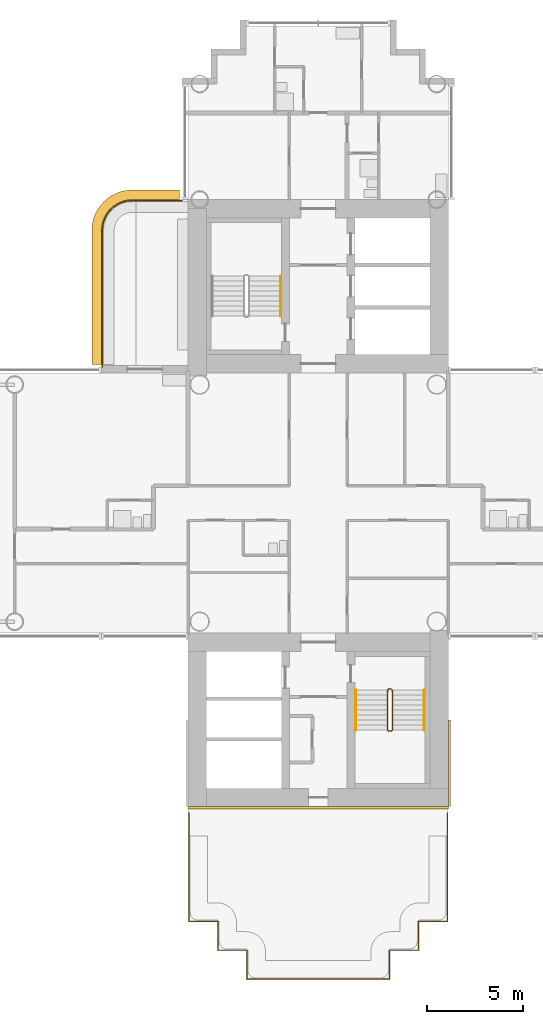
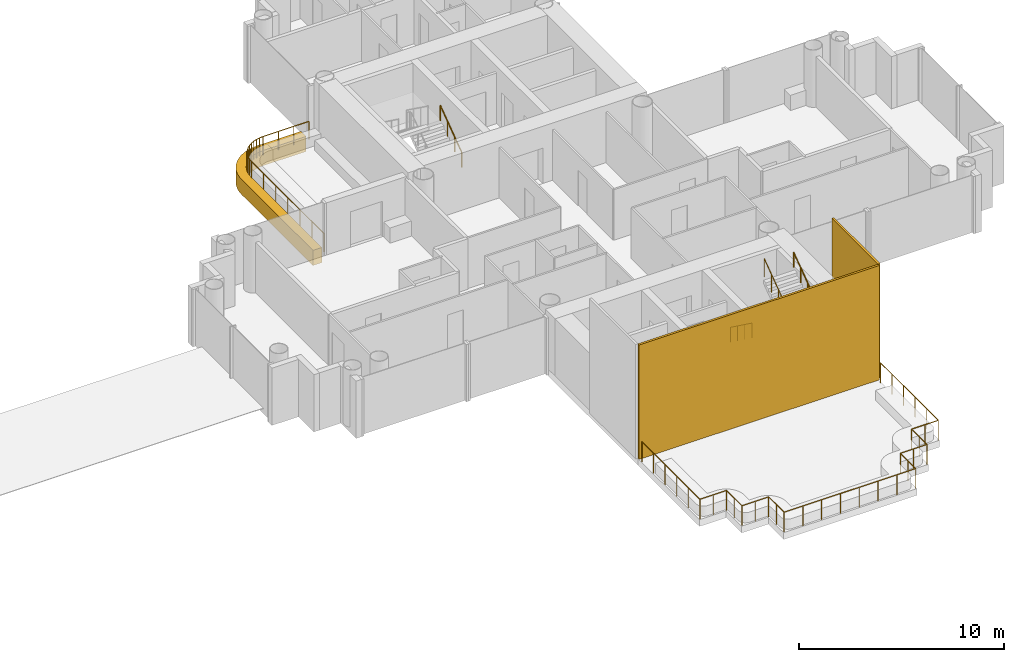
# One storey, part 21 of 22: 6 railings, 3 coverings.
"""IFC4 building model written with IfcOpenShell, lengths in metres."""

from ifc_helpers import new_model, si_unit, direction, frame, origin, origin_2d, place, context, subcontext, project, spatial, polyline, rectangle, circle, outline, extrude, material, layer, layer_set, type_object, element, save


model = new_model("IFC4")

# Units and contexts
model_context = context("Model", 3, precision=1e-05, world=origin(), true_north=direction((0.0, 1.0)))
body_context = subcontext(model_context, "Body", "Model", "MODEL_VIEW")
ifc_project = project(units=[si_unit("LENGTHUNIT", "METRE"), si_unit("AREAUNIT", "SQUARE_METRE"), si_unit("VOLUMEUNIT", "CUBIC_METRE"), si_unit("PLANEANGLEUNIT", "RADIAN"), si_unit("MASSUNIT", "GRAM", prefix="KILO")], contexts=[model_context])

# Site, building, storey
site_placement = place(None, origin())
site = spatial("IfcSite", under=ifc_project, at=site_placement, CompositionType="ELEMENT")
building_placement = place(site_placement, origin())
building = spatial("IfcBuilding", under=site, at=building_placement, Name="Ipe Terrace Towers", CompositionType="ELEMENT")
storey_placement = place(building_placement, frame((0.0, 0.0, 76.60009765625)))
storey = spatial("IfcBuildingStorey", under=building, at=storey_placement, Name="L20", CompositionType="ELEMENT", Elevation=76.60009765625)

# Railings
ifc_material_1 = material(Name="Stainless steel S316", Category="steel")
railing_type_1 = type_object("IfcRailingType", Name="GUARD 1100", PredefinedType="BALUSTRADE", material=ifc_material_1)
railing_1_placement = place(storey_placement, frame((28.929931640625, 15.699951171875, -0.02001953125)))
element("IfcRailing", 1, at=railing_1_placement, inside=storey, type_object=railing_type_1, Name="guard", PredefinedType="BALUSTRADE", context=body_context, shape_type="SweptSolid", body=[
    extrude(circle(Radius=0.02392578125, at=origin_2d()), frame((0.0, 0.0, 1.076171875), z_axis=(-1.0, 0.0, 0.0), x_axis=(0.0, -1.0, 0.0)), (0.0, 0.0, 1.0), 2.577880859375),
    extrude(circle(Radius=0.02392578125, at=origin_2d()), frame((-2.577880859375, 0.0, 1.076171875), z_axis=(-0.997996439513, -0.063270109204, 0.0), x_axis=(0.063270109204, -0.997996439513, 0.0)), (0.0, 0.0, 1.0), 0.20458984375),
    extrude(circle(Radius=0.02392578125, at=origin_2d()), frame((-2.781982421875, -0.012939453125, 1.076171875), z_axis=(-0.980348670139, -0.197272615832, 0.0), x_axis=(0.197272615832, -0.980348670139, 0.0)), (0.0, 0.0, 1.0), 0.202880859375),
    extrude(circle(Radius=0.02392578125, at=origin_2d()), frame((-2.98095703125, -0.052978515625, 1.076171875), z_axis=(-0.947227229435, -0.320562904618, 0.0), x_axis=(0.320562904618, -0.947227229435, 0.0)), (0.0, 0.0, 1.0), 0.20263671875),
    extrude(circle(Radius=0.02392578125, at=origin_2d()), frame((-3.1728515625, -0.117919921875, 1.076171875), z_axis=(-0.896341374877, -0.443364567466, 0.0), x_axis=(0.443364567466, -0.896341374877, 0.0)), (0.0, 0.0, 1.0), 0.203125),
    extrude(circle(Radius=0.02392578125, at=origin_2d()), frame((-3.35498046875, -0.2080078125, 1.076171875), z_axis=(-0.833344910936, -0.552753344103, 0.0), x_axis=(0.552753344103, -0.833344910936, 0.0)), (0.0, 0.0, 1.0), 0.20263671875),
    extrude(circle(Radius=0.02392578125, at=origin_2d()), frame((-3.52392578125, -0.320068359375, 1.076171875), z_axis=(-0.750856952854, -0.660464863827, 0.0), x_axis=(0.660464863827, -0.750856952854, 0.0)), (0.0, 0.0, 1.0), 0.20263671875),
    extrude(circle(Radius=0.02392578125, at=origin_2d()), frame((-3.676025390625, -0.453857421875, 1.076171875), z_axis=(-0.660464863827, -0.750856952854, 0.0), x_axis=(0.750856952854, -0.660464863827, 0.0)), (0.0, 0.0, 1.0), 0.20263671875),
    extrude(circle(Radius=0.02392578125, at=origin_2d()), frame((-3.809814453125, -0.60595703125, 1.076171875), z_axis=(-0.552753344103, -0.833344910936, 0.0), x_axis=(0.833344910936, -0.552753344103, 0.0)), (0.0, 0.0, 1.0), 0.20263671875),
    extrude(circle(Radius=0.02392578125, at=origin_2d()), frame((-3.921875, -0.77490234375, 1.076171875), z_axis=(-0.443364567466, -0.896341374877, 0.0), x_axis=(0.896341374877, -0.443364567466, 0.0)), (0.0, 0.0, 1.0), 0.203125),
    extrude(circle(Radius=0.02392578125, at=origin_2d()), frame((-4.011962890625, -0.95703125, 1.076171875), z_axis=(-0.320562904618, -0.947227229435, 0.0), x_axis=(0.947227229435, -0.320562904618, 0.0)), (0.0, 0.0, 1.0), 0.20263671875),
    extrude(circle(Radius=0.02392578125, at=origin_2d()), frame((-4.076904296875, -1.14892578125, 1.076171875), z_axis=(-0.197272615832, -0.980348670139, 0.0), x_axis=(0.980348670139, -0.197272615832, 0.0)), (0.0, 0.0, 1.0), 0.202880859375),
    extrude(circle(Radius=0.02392578125, at=origin_2d()), frame((-4.116943359375, -1.347900390625, 1.076171875), z_axis=(-0.063270109204, -0.997996439513, 0.0), x_axis=(0.997996439513, -0.063270109204, 0.0)), (0.0, 0.0, 1.0), 0.20458984375),
    extrude(circle(Radius=0.02392578125, at=origin_2d()), frame((-4.1298828125, -1.552001953125, 1.076171875), z_axis=(0.0, -1.0, 0.0), x_axis=(1.0, 0.0, 0.0)), (0.0, 0.0, 1.0), 7.077880859375),
    extrude(circle(Radius=0.02099609375, at=origin_2d()), origin(), (0.0, 0.0, 1.0), 1.052001953125),
    extrude(circle(Radius=0.02099609375, at=origin_2d()), frame((-0.859375, 0.0, 0.0)), (0.0, 0.0, 1.0), 1.052001953125),
    extrude(circle(Radius=0.02099609375, at=origin_2d()), frame((-1.718505859375, 0.0, 0.0)), (0.0, 0.0, 1.0), 1.052001953125),
    extrude(circle(Radius=0.02099609375, at=origin_2d()), frame((-2.577880859375, 0.0, 0.0)), (0.0, 0.0, 1.0), 1.052001953125),
    extrude(circle(Radius=0.02099609375, at=origin_2d()), frame((-2.781982421875, -0.012939453125, 0.0)), (0.0, 0.0, 1.0), 1.052001953125),
    extrude(circle(Radius=0.02099609375, at=origin_2d()), frame((-2.98095703125, -0.052978515625, 0.0)), (0.0, 0.0, 1.0), 1.052001953125),
    extrude(circle(Radius=0.02099609375, at=origin_2d()), frame((-3.1728515625, -0.117919921875, 0.0)), (0.0, 0.0, 1.0), 1.052001953125),
    extrude(circle(Radius=0.02099609375, at=origin_2d()), frame((-3.35498046875, -0.2080078125, 0.0)), (0.0, 0.0, 1.0), 1.052001953125),
    extrude(circle(Radius=0.02099609375, at=origin_2d()), frame((-3.52392578125, -0.320068359375, 0.0)), (0.0, 0.0, 1.0), 1.052001953125),
    extrude(circle(Radius=0.02099609375, at=origin_2d()), frame((-3.676025390625, -0.453857421875, 0.0)), (0.0, 0.0, 1.0), 1.052001953125),
    extrude(circle(Radius=0.02099609375, at=origin_2d()), frame((-3.809814453125, -0.60595703125, 0.0)), (0.0, 0.0, 1.0), 1.052001953125),
    extrude(circle(Radius=0.02099609375, at=origin_2d()), frame((-3.921875, -0.77490234375, 0.0)), (0.0, 0.0, 1.0), 1.052001953125),
    extrude(circle(Radius=0.02099609375, at=origin_2d()), frame((-4.011962890625, -0.95703125, 0.0)), (0.0, 0.0, 1.0), 1.052001953125),
    extrude(circle(Radius=0.02099609375, at=origin_2d()), frame((-4.076904296875, -1.14892578125, 0.0)), (0.0, 0.0, 1.0), 1.052001953125),
    extrude(circle(Radius=0.02099609375, at=origin_2d()), frame((-4.116943359375, -1.347900390625, 0.0)), (0.0, 0.0, 1.0), 1.052001953125),
    extrude(circle(Radius=0.02099609375, at=origin_2d()), frame((-4.1298828125, -1.552001953125, 0.0)), (0.0, 0.0, 1.0), 1.052001953125),
    extrude(circle(Radius=0.02099609375, at=origin_2d()), frame((-4.1298828125, -2.731689453125, 0.0)), (0.0, 0.0, 1.0), 1.052001953125),
    extrude(circle(Radius=0.02099609375, at=origin_2d()), frame((-4.1298828125, -3.911376953125, 0.0)), (0.0, 0.0, 1.0), 1.052001953125),
    extrude(circle(Radius=0.02099609375, at=origin_2d()), frame((-4.1298828125, -5.0908203125, 0.0)), (0.0, 0.0, 1.0), 1.052001953125),
    extrude(circle(Radius=0.02099609375, at=origin_2d()), frame((-4.1298828125, -6.2705078125, 0.0)), (0.0, 0.0, 1.0), 1.052001953125),
    extrude(circle(Radius=0.02099609375, at=origin_2d()), frame((-4.1298828125, -7.4501953125, 0.0)), (0.0, 0.0, 1.0), 1.052001953125),
    extrude(circle(Radius=0.02099609375, at=origin_2d()), frame((-4.1298828125, -8.6298828125, 0.0)), (0.0, 0.0, 1.0), 1.052001953125),
])
ifc_material_2 = material(Name="Stainless steel S316", Category="steel")
railing_type_2 = type_object("IfcRailingType", Name="ROOF GUARD 1200", PredefinedType="BALUSTRADE", material=ifc_material_2)
railing_2_placement = place(storey_placement, frame((29.300048828125, -16.070068359375, -0.02001953125)))
element("IfcRailing", 2, at=railing_2_placement, inside=storey, type_object=railing_type_2, Name="roof guard", PredefinedType="BALUSTRADE", context=body_context, shape_type="SweptSolid", body=[
    extrude(circle(Radius=0.02392578125, at=origin_2d()), frame((0.0, 0.0, 1.17578125), z_axis=(0.0, -1.0, 0.0), x_axis=(1.0, 0.0, 0.0)), (0.0, 0.0, 1.0), 5.6298828125),
    extrude(circle(Radius=0.02392578125, at=origin_2d()), frame((0.0, -5.6298828125, 1.17578125), z_axis=(1.0, 0.0, 0.0), x_axis=(0.0, 1.0, 0.0)), (0.0, 0.0, 1.0), 1.5),
    extrude(circle(Radius=0.02392578125, at=origin_2d()), frame((1.5, -5.6298828125, 1.17578125), z_axis=(0.0, -1.0, 0.0), x_axis=(1.0, 0.0, 0.0)), (0.0, 0.0, 1.0), 1.5),
    extrude(circle(Radius=0.02392578125, at=origin_2d()), frame((1.5, -7.1298828125, 1.17578125), z_axis=(1.0, 0.0, 0.0), x_axis=(0.0, 1.0, 0.0)), (0.0, 0.0, 1.0), 1.5),
    extrude(circle(Radius=0.02392578125, at=origin_2d()), frame((3.0, -7.1298828125, 1.17578125), z_axis=(0.0, -1.0, 0.0), x_axis=(1.0, 0.0, 0.0)), (0.0, 0.0, 1.0), 1.5),
    extrude(circle(Radius=0.02392578125, at=origin_2d()), frame((3.0, -8.6298828125, 1.17578125), z_axis=(1.0, 0.0, 0.0), x_axis=(0.0, 1.0, 0.0)), (0.0, 0.0, 1.0), 7.39990234375),
    extrude(circle(Radius=0.02392578125, at=origin_2d()), frame((10.39990234375, -8.6298828125, 1.17578125), z_axis=(0.0, 1.0, 0.0), x_axis=(-1.0, 0.0, 0.0)), (0.0, 0.0, 1.0), 1.5),
    extrude(circle(Radius=0.02392578125, at=origin_2d()), frame((10.39990234375, -7.1298828125, 1.17578125), z_axis=(1.0, 0.0, 0.0), x_axis=(0.0, 1.0, 0.0)), (0.0, 0.0, 1.0), 1.5),
    extrude(circle(Radius=0.02392578125, at=origin_2d()), frame((11.89990234375, -7.1298828125, 1.17578125), z_axis=(0.0, 1.0, 0.0), x_axis=(-1.0, 0.0, 0.0)), (0.0, 0.0, 1.0), 1.5),
    extrude(circle(Radius=0.02392578125, at=origin_2d()), frame((11.89990234375, -5.6298828125, 1.17578125), z_axis=(1.0, 0.0, 0.0), x_axis=(0.0, 1.0, 0.0)), (0.0, 0.0, 1.0), 1.5),
    extrude(circle(Radius=0.02392578125, at=origin_2d()), frame((13.39990234375, -5.6298828125, 1.17578125), z_axis=(0.0, 1.0, 0.0), x_axis=(-1.0, 0.0, 0.0)), (0.0, 0.0, 1.0), 5.6298828125),
    extrude(circle(Radius=0.02099609375, at=origin_2d()), origin(), (0.0, 0.0, 1.0), 1.15185546875),
    extrude(circle(Radius=0.02099609375, at=origin_2d()), frame((0.0, -1.1259765625, 0.0)), (0.0, 0.0, 1.0), 1.15185546875),
    extrude(circle(Radius=0.02099609375, at=origin_2d()), frame((0.0, -2.251953125, 0.0)), (0.0, 0.0, 1.0), 1.15185546875),
    extrude(circle(Radius=0.02099609375, at=origin_2d()), frame((0.0, -3.3779296875, 0.0)), (0.0, 0.0, 1.0), 1.15185546875),
    extrude(circle(Radius=0.02099609375, at=origin_2d()), frame((0.0, -4.50390625, 0.0)), (0.0, 0.0, 1.0), 1.15185546875),
    extrude(circle(Radius=0.02099609375, at=origin_2d()), frame((0.0, -5.6298828125, 0.0)), (0.0, 0.0, 1.0), 1.15185546875),
    extrude(circle(Radius=0.02099609375, at=origin_2d()), frame((0.75, -5.6298828125, 0.0)), (0.0, 0.0, 1.0), 1.15185546875),
    extrude(circle(Radius=0.02099609375, at=origin_2d()), frame((1.5, -5.6298828125, 0.0)), (0.0, 0.0, 1.0), 1.15185546875),
    extrude(circle(Radius=0.02099609375, at=origin_2d()), frame((1.5, -6.3798828125, 0.0)), (0.0, 0.0, 1.0), 1.15185546875),
    extrude(circle(Radius=0.02099609375, at=origin_2d()), frame((1.5, -7.1298828125, 0.0)), (0.0, 0.0, 1.0), 1.15185546875),
    extrude(circle(Radius=0.02099609375, at=origin_2d()), frame((2.25, -7.1298828125, 0.0)), (0.0, 0.0, 1.0), 1.15185546875),
    extrude(circle(Radius=0.02099609375, at=origin_2d()), frame((3.0, -7.1298828125, 0.0)), (0.0, 0.0, 1.0), 1.15185546875),
    extrude(circle(Radius=0.02099609375, at=origin_2d()), frame((3.0, -7.8798828125, 0.0)), (0.0, 0.0, 1.0), 1.15185546875),
    extrude(circle(Radius=0.02099609375, at=origin_2d()), frame((3.0, -8.6298828125, 0.0)), (0.0, 0.0, 1.0), 1.15185546875),
    extrude(circle(Radius=0.02099609375, at=origin_2d()), frame((4.05712890625, -8.6298828125, 0.0)), (0.0, 0.0, 1.0), 1.15185546875),
    extrude(circle(Radius=0.02099609375, at=origin_2d()), frame((5.1142578125, -8.6298828125, 0.0)), (0.0, 0.0, 1.0), 1.15185546875),
    extrude(circle(Radius=0.02099609375, at=origin_2d()), frame((6.17138671875, -8.6298828125, 0.0)), (0.0, 0.0, 1.0), 1.15185546875),
    extrude(circle(Radius=0.02099609375, at=origin_2d()), frame((7.228515625, -8.6298828125, 0.0)), (0.0, 0.0, 1.0), 1.15185546875),
    extrude(circle(Radius=0.02099609375, at=origin_2d()), frame((8.28564453125, -8.6298828125, 0.0)), (0.0, 0.0, 1.0), 1.15185546875),
    extrude(circle(Radius=0.02099609375, at=origin_2d()), frame((9.3427734375, -8.6298828125, 0.0)), (0.0, 0.0, 1.0), 1.15185546875),
    extrude(circle(Radius=0.02099609375, at=origin_2d()), frame((10.39990234375, -8.6298828125, 0.0)), (0.0, 0.0, 1.0), 1.15185546875),
    extrude(circle(Radius=0.02099609375, at=origin_2d()), frame((10.39990234375, -7.8798828125, 0.0)), (0.0, 0.0, 1.0), 1.15185546875),
    extrude(circle(Radius=0.02099609375, at=origin_2d()), frame((10.39990234375, -7.1298828125, 0.0)), (0.0, 0.0, 1.0), 1.15185546875),
    extrude(circle(Radius=0.02099609375, at=origin_2d()), frame((11.14990234375, -7.1298828125, 0.0)), (0.0, 0.0, 1.0), 1.15185546875),
    extrude(circle(Radius=0.02099609375, at=origin_2d()), frame((11.89990234375, -7.1298828125, 0.0)), (0.0, 0.0, 1.0), 1.15185546875),
    extrude(circle(Radius=0.02099609375, at=origin_2d()), frame((11.89990234375, -6.3798828125, 0.0)), (0.0, 0.0, 1.0), 1.15185546875),
    extrude(circle(Radius=0.02099609375, at=origin_2d()), frame((11.89990234375, -5.6298828125, 0.0)), (0.0, 0.0, 1.0), 1.15185546875),
    extrude(circle(Radius=0.02099609375, at=origin_2d()), frame((12.64990234375, -5.6298828125, 0.0)), (0.0, 0.0, 1.0), 1.15185546875),
    extrude(circle(Radius=0.02099609375, at=origin_2d()), frame((13.39990234375, -5.6298828125, 0.0)), (0.0, 0.0, 1.0), 1.15185546875),
    extrude(circle(Radius=0.02099609375, at=origin_2d()), frame((13.39990234375, -4.50390625, 0.0)), (0.0, 0.0, 1.0), 1.15185546875),
    extrude(circle(Radius=0.02099609375, at=origin_2d()), frame((13.39990234375, -3.3779296875, 0.0)), (0.0, 0.0, 1.0), 1.15185546875),
    extrude(circle(Radius=0.02099609375, at=origin_2d()), frame((13.39990234375, -2.251953125, 0.0)), (0.0, 0.0, 1.0), 1.15185546875),
    extrude(circle(Radius=0.02099609375, at=origin_2d()), frame((13.39990234375, -1.1259765625, 0.0)), (0.0, 0.0, 1.0), 1.15185546875),
    extrude(circle(Radius=0.02099609375, at=origin_2d()), frame((13.39990234375, 0.0, 0.0)), (0.0, 0.0, 1.0), 1.15185546875),
])

# Coverings
ifc_material_3 = material(Name="Concrete C50/60 precast, buff finish", Category="concrete")
ifc_layer_1 = layer(ifc_material_3, 0.1201171875)
ifc_layer_set_1 = layer_set([ifc_layer_1], Name="STONE CORE CLADDING 120")
covering_type_1 = type_object("IfcCoveringType", Name="STONE CORE CLADDING 120", PredefinedType="CLADDING", material=ifc_layer_set_1)
covering_1_placement = place(storey_placement, frame((36.0, -15.81005859375, 0.0), z_axis=(0.0, 0.0, 1.0), x_axis=(1.0, 0.0, 0.0)))
element("IfcCovering", 3, at=covering_1_placement, inside=storey, type_object=covering_type_1, Name="stone core cladding", PredefinedType="CLADDING", context=body_context, shape_type="SweptSolid", body=[
    extrude(rectangle(XDim=13.5, YDim=0.1201171875, at=origin_2d()), origin(), (0.0, 0.0, 1.0), 6.800048828125),
])
covering_2_placement = place(storey_placement, frame((42.81005859375, -13.5, 0.0), z_axis=(0.0, 0.0, 1.0), x_axis=(0.0, 1.0, 0.0)))
element("IfcCovering", 4, at=covering_2_placement, inside=storey, type_object=covering_type_1, Name="stone core cladding", PredefinedType="CLADDING", context=body_context, shape_type="SweptSolid", body=[
    extrude(rectangle(XDim=4.5, YDim=0.1201171875, at=origin_2d()), origin(), (0.0, 0.0, 1.0), 6.800048828125),
])
ifc_material_4 = material(Name="Concrete C50/60 precast, buff finish", Category="concrete")
ifc_layer_2 = layer(ifc_material_4, 0.5)
ifc_layer_set_2 = layer_set([ifc_layer_2], Name="STONE EDGE BAND 500 x 900")
covering_type_2 = type_object("IfcCoveringType", Name="STONE EDGE BAND 500 x 900", PredefinedType="CLADDING", material=ifc_layer_set_2)
covering_3_placement = place(storey_placement, frame((0.0, 0.0, -0.72021484375)))
element("IfcCovering", 5, at=covering_3_placement, inside=storey, type_object=covering_type_2, Name="stone edge band", PredefinedType="CLADDING", context=body_context, shape_type="SweptSolid", body=[
    extrude(outline(polyline([(24.25, 14.14990234375), (24.25, 7.199951171875), (24.75, 7.199951171875), (24.75, 14.14990234375), (24.763916015625, 14.35888671875), (24.804931640625, 14.56396484375), (24.8720703125, 14.761962890625), (24.964111328125, 14.949951171875), (25.0810546875, 15.1240234375), (25.218994140625, 15.281005859375), (25.3759765625, 15.4189453125), (25.550048828125, 15.535888671875), (25.738037109375, 15.6279296875), (25.93603515625, 15.695068359375), (26.14111328125, 15.736083984375), (26.35009765625, 15.75), (28.800048828125, 15.75), (28.800048828125, 16.25), (26.35009765625, 16.25), (26.31689453125, 16.2490234375), (26.10791015625, 16.235107421875), (26.0439453125, 16.22705078125), (25.837890625, 16.18603515625), (25.77490234375, 16.1689453125), (25.576904296875, 16.10205078125), (25.51708984375, 16.076904296875), (25.3291015625, 15.98388671875), (25.27197265625, 15.950927734375), (25.097900390625, 15.8349609375), (25.0458984375, 15.794921875), (24.888916015625, 15.656982421875), (24.843017578125, 15.611083984375), (24.705078125, 15.4541015625), (24.6650390625, 15.402099609375), (24.549072265625, 15.22802734375), (24.51611328125, 15.1708984375), (24.423095703125, 14.98291015625), (24.39794921875, 14.923095703125), (24.3310546875, 14.72509765625), (24.31396484375, 14.662109375), (24.27294921875, 14.4560546875), (24.264892578125, 14.39208984375), (24.2509765625, 14.18310546875), (24.25, 14.14990234375)])), origin(), (0.0, 0.0, 1.0), 0.900146484375),
])

# Railings
ifc_material_5 = material(Name="Steel S355", Category="steel")
railing_type_3 = type_object("IfcRailingType", Name="Stair guard 1100", PredefinedType="GUARDRAIL", material=ifc_material_5)
railing_3_placement = place(storey_placement, frame((39.800048828125, -9.64990234375, 0.0)))
element("IfcRailing", 6, at=railing_3_placement, inside=storey, type_object=railing_type_3, Name="L20 T2-ST2 stair guard 1", PredefinedType="GUARDRAIL", context=body_context, shape_type="SweptSolid", body=[
    extrude(circle(Radius=0.02392578125, at=origin_2d()), frame((0.0, 0.0, 1.076171875), z_axis=(-1.0, 0.0, 0.0), x_axis=(0.0, -1.0, 0.0)), (0.0, 0.0, 1.0), 0.150146484375),
    extrude(circle(Radius=0.02392578125, at=origin_2d()), frame((-0.150146484375, 0.0, 1.076171875), z_axis=(-0.247173786771, -0.248385422981, 0.936594790069), x_axis=(0.708833529934, -0.705375805398, 0.0)), (0.0, 0.0, 1.0), 0.201416015625),
    extrude(circle(Radius=0.02392578125, at=origin_2d()), frame((-0.199951171875, -0.050048828125, 1.2646484375), z_axis=(0.0, -0.809023421508, 0.587776406001), x_axis=(1.0, 0.0, 0.0)), (0.0, 0.0, 1.0), 2.571044921875),
    extrude(circle(Radius=0.02392578125, at=origin_2d()), frame((-0.199951171875, -2.130126953125, 2.77587890625), z_axis=(0.705375805398, -0.708833529934, 0.0), x_axis=(0.708833529934, 0.705375805398, 0.0)), (0.0, 0.0, 1.0), 0.070556640625),
    extrude(circle(Radius=0.02392578125, at=origin_2d()), frame((-0.150146484375, -2.18017578125, 2.77587890625), z_axis=(1.0, 0.0, 0.0), x_axis=(0.0, 1.0, 0.0)), (0.0, 0.0, 1.0), 0.150146484375),
    extrude(circle(Radius=0.02392578125, at=origin_2d()), frame((0.0, -2.18017578125, 2.77587890625), z_axis=(0.248310886586, 0.248310886586, 0.936313733321), x_axis=(-0.707106781187, 0.707106781187, 0.0)), (0.0, 0.0, 1.0), 0.20166015625),
    extrude(circle(Radius=0.02392578125, at=origin_2d()), frame((0.050048828125, -2.130126953125, 2.96484375), z_axis=(0.0, 0.809023421508, 0.587776406001), x_axis=(-1.0, 0.0, 0.0)), (0.0, 0.0, 1.0), 2.571044921875),
    extrude(circle(Radius=0.02099609375, at=origin_2d()), origin(), (0.0, 0.0, 1.0), 1.052001953125),
    extrude(circle(Radius=0.02099609375, at=origin_2d()), frame((-0.150146484375, 0.0, 0.0)), (0.0, 0.0, 1.0), 1.052001953125),
    extrude(circle(Radius=0.02099609375, at=origin_2d()), frame((-0.199951171875, -0.050048828125, 0.188720703125)), (0.0, 0.0, 1.0), 1.052001953125),
    extrude(circle(Radius=0.02099609375, at=origin_2d()), frame((-0.199951171875, -0.743408203125, 0.6923828125)), (0.0, 0.0, 1.0), 1.052001953125),
    extrude(circle(Radius=0.02099609375, at=origin_2d()), frame((-0.199951171875, -1.436767578125, 1.1962890625)), (0.0, 0.0, 1.0), 1.052001953125),
    extrude(circle(Radius=0.02099609375, at=origin_2d()), frame((-0.199951171875, -2.130126953125, 1.699951171875)), (0.0, 0.0, 1.0), 1.052001953125),
    extrude(circle(Radius=0.02099609375, at=origin_2d()), frame((-0.150146484375, -2.18017578125, 1.699951171875)), (0.0, 0.0, 1.0), 1.052001953125),
    extrude(circle(Radius=0.02099609375, at=origin_2d()), frame((0.0, -2.18017578125, 1.699951171875)), (0.0, 0.0, 1.0), 1.052001953125),
    extrude(circle(Radius=0.02099609375, at=origin_2d()), frame((0.050048828125, -2.130126953125, 1.888671875)), (0.0, 0.0, 1.0), 1.052001953125),
    extrude(circle(Radius=0.02099609375, at=origin_2d()), frame((0.050048828125, -1.436767578125, 2.392333984375)), (0.0, 0.0, 1.0), 1.052001953125),
    extrude(circle(Radius=0.02099609375, at=origin_2d()), frame((0.050048828125, -0.743408203125, 2.896240234375)), (0.0, 0.0, 1.0), 1.052001953125),
    extrude(circle(Radius=0.02099609375, at=origin_2d()), frame((0.050048828125, -0.050048828125, 3.39990234375)), (0.0, 0.0, 1.0), 1.052001953125),
])
ifc_material_6 = material(Name="Stainless steel grade 304", Category="steel")
railing_type_4 = type_object("IfcRailingType", Name="Stair handrail 900", PredefinedType="HANDRAIL", material=ifc_material_6)
railing_4_placement = place(storey_placement, frame((34.050048828125, 9.699951171875, 0.188720703125)))
element("IfcRailing", 7, at=railing_4_placement, inside=storey, type_object=railing_type_4, Name="L20 T2-ST1 stair handrail 1", PredefinedType="HANDRAIL", context=body_context, shape_type="SweptSolid", body=[
    extrude(circle(Radius=0.02392578125, at=origin_2d()), frame((0.0, 0.0, 0.8759765625), z_axis=(0.0, 0.809023421508, 0.587776406001), x_axis=(-1.0, 0.0, 0.0)), (0.0, 0.0, 1.0), 2.571044921875),
    extrude(circle(Radius=0.02099609375, at=origin_2d()), origin(), (0.0, 0.0, 1.0), 0.851806640625),
    extrude(circle(Radius=0.02099609375, at=origin_2d()), frame((0.0, 0.693359375, 0.503662109375)), (0.0, 0.0, 1.0), 0.851806640625),
    extrude(circle(Radius=0.02099609375, at=origin_2d()), frame((0.0, 1.38671875, 1.007568359375)), (0.0, 0.0, 1.0), 0.851806640625),
    extrude(circle(Radius=0.02099609375, at=origin_2d()), frame((0.0, 2.080078125, 1.51123046875)), (0.0, 0.0, 1.0), 0.851806640625),
])
railing_5_placement = place(storey_placement, frame((37.949951171875, -9.699951171875, 0.188720703125)))
element("IfcRailing", 8, at=railing_5_placement, inside=storey, type_object=railing_type_4, Name="L20 T2-ST2 stair handrail 1", PredefinedType="HANDRAIL", context=body_context, shape_type="SweptSolid", body=[
    extrude(circle(Radius=0.02392578125, at=origin_2d()), frame((0.0, 0.0, 0.8759765625), z_axis=(0.0, -0.809023421508, 0.587776406001), x_axis=(1.0, 0.0, 0.0)), (0.0, 0.0, 1.0), 2.571044921875),
    extrude(circle(Radius=0.02099609375, at=origin_2d()), origin(), (0.0, 0.0, 1.0), 0.851806640625),
    extrude(circle(Radius=0.02099609375, at=origin_2d()), frame((0.0, -0.693359375, 0.503662109375)), (0.0, 0.0, 1.0), 0.851806640625),
    extrude(circle(Radius=0.02099609375, at=origin_2d()), frame((0.0, -1.38671875, 1.007568359375)), (0.0, 0.0, 1.0), 0.851806640625),
    extrude(circle(Radius=0.02099609375, at=origin_2d()), frame((0.0, -2.080078125, 1.51123046875)), (0.0, 0.0, 1.0), 0.851806640625),
])
railing_6_placement = place(storey_placement, frame((41.5, -11.780029296875, 1.888671875)))
element("IfcRailing", 9, at=railing_6_placement, inside=storey, type_object=railing_type_4, Name="L20 T2-ST2 stair handrail 2", PredefinedType="HANDRAIL", context=body_context, shape_type="SweptSolid", body=[
    extrude(circle(Radius=0.02392578125, at=origin_2d()), frame((0.0, 0.0, 0.8759765625), z_axis=(0.0, 0.809023421508, 0.587776406001), x_axis=(-1.0, 0.0, 0.0)), (0.0, 0.0, 1.0), 2.571044921875),
    extrude(circle(Radius=0.02099609375, at=origin_2d()), origin(), (0.0, 0.0, 1.0), 0.851806640625),
    extrude(circle(Radius=0.02099609375, at=origin_2d()), frame((0.0, 0.693359375, 0.503662109375)), (0.0, 0.0, 1.0), 0.851806640625),
    extrude(circle(Radius=0.02099609375, at=origin_2d()), frame((0.0, 1.38671875, 1.007568359375)), (0.0, 0.0, 1.0), 0.851806640625),
    extrude(circle(Radius=0.02099609375, at=origin_2d()), frame((0.0, 2.080078125, 1.51123046875)), (0.0, 0.0, 1.0), 0.851806640625),
])

save(model, "model.ifc")
